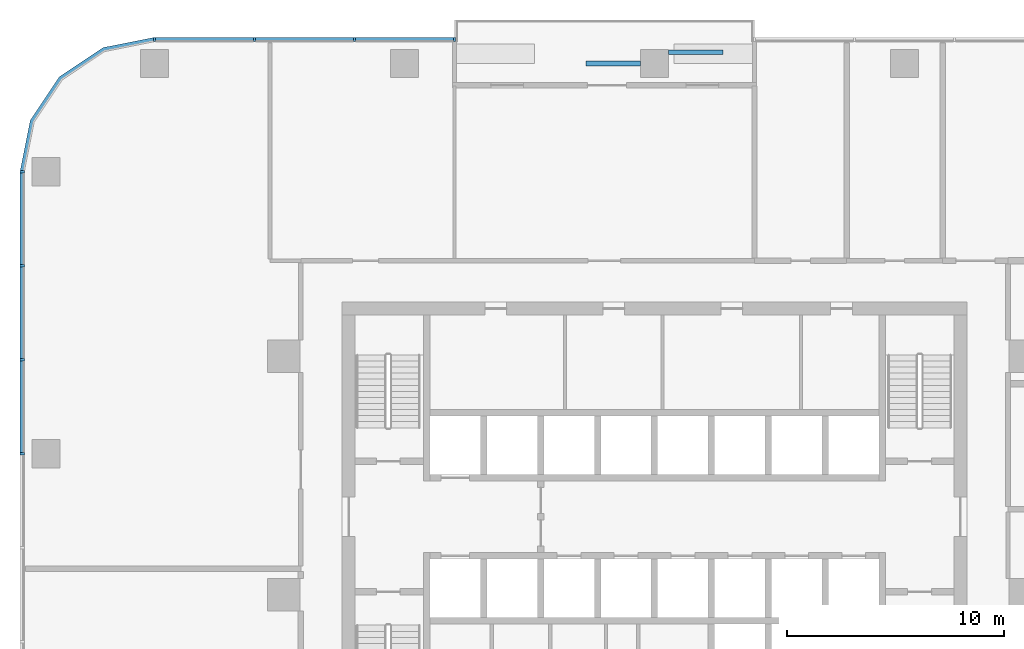
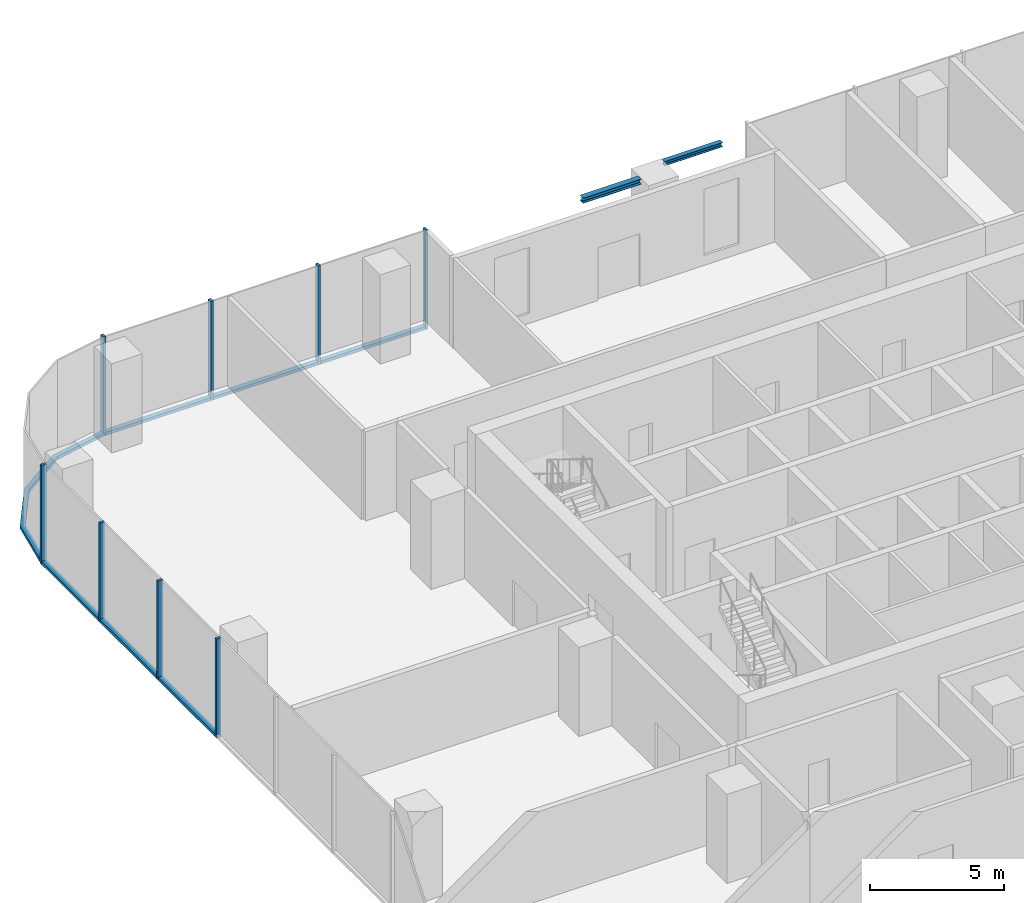
# One storey, part 4 of 14: 15 members, 2 beams, 3 elements without a shape of their own.
"""IFC4 building model written with IfcOpenShell, lengths in metres."""

from ifc_helpers import new_model, si_unit, direction, frame, origin, origin_2d, place, context, subcontext, project, spatial, polyline, rectangle, i_section, outline, extrude, material, material_profile, profile_set, type_object, element, aggregate, save


model = new_model("IFC4")

# Units and contexts
model_context = context("Model", 3, precision=1e-05, world=origin(), true_north=direction((0.0, 1.0)))
body_context = subcontext(model_context, "Body", "Model", "MODEL_VIEW")
ifc_project = project(units=[si_unit("LENGTHUNIT", "METRE"), si_unit("AREAUNIT", "SQUARE_METRE"), si_unit("VOLUMEUNIT", "CUBIC_METRE"), si_unit("PLANEANGLEUNIT", "RADIAN"), si_unit("MASSUNIT", "GRAM", prefix="KILO")], contexts=[model_context])

# Site, building, storey
site_placement = place(None, origin())
site = spatial("IfcSite", under=ifc_project, at=site_placement, CompositionType="ELEMENT")
building_placement = place(site_placement, origin())
building = spatial("IfcBuilding", under=site, at=building_placement, Name="Mopane Tessera Tower", CompositionType="ELEMENT")
storey_placement = place(building_placement, frame((0.0, 0.0, 126.10009765625)))
storey = spatial("IfcBuildingStorey", under=building, at=storey_placement, Name="L25", CompositionType="ELEMENT", Elevation=126.10009765625)

# Curtain wall, members
ifc_material_1 = material(Name="Aluminium frame", Category="aluminium")
curtain_wall_type = type_object("IfcCurtainWallType", Name="Lower tower unitised wall", PredefinedType="NOTDEFINED", material=ifc_material_1)
curtain_wall_1_placement = place(storey_placement, origin())
curtain_wall_1 = element("IfcCurtainWall", 1, at=curtain_wall_1_placement, inside=storey, type_object=curtain_wall_type, Name="e:cw:L25:N:7", PredefinedType="NOTDEFINED")
ifc_material_2 = material(Name="Aluminium frame", Category="aluminium")
ifc_material_profile_1 = material_profile(ifc_material_2, rectangle(XDim=0.110107421875, YDim=0.199951171875, at=origin_2d()))
ifc_profile_set_1 = profile_set([ifc_material_profile_1], Name="Aluminium frame")
member_type_1 = type_object("IfcMemberType", Name="Aluminium mullion 110 x 200", PredefinedType="MULLION", material=ifc_profile_set_1)
member_1_placement = place(storey_placement, frame((-9.219970703125, 25.60009765625, -0.4501953125), z_axis=(0.0, 0.0, 1.0), x_axis=(-1.0, 0.0, 0.0)))
member_1 = element("IfcMember", 2, at=member_1_placement, type_object=member_type_1, Name="e:cw:L25:N:7:mu7", PredefinedType="MULLION", context=body_context, shape_type="SweptSolid", body=[
    extrude(rectangle(XDim=0.110107421875, YDim=0.199951171875, at=origin_2d()), origin(), (0.0, 0.0, 1.0), 4.5),
])
member_2_placement = place(storey_placement, frame((-13.830078125, 25.60009765625, -0.4501953125), z_axis=(0.0, 0.0, 1.0), x_axis=(-1.0, 0.0, 0.0)))
member_2 = element("IfcMember", 3, at=member_2_placement, type_object=member_type_1, Name="e:cw:L25:N:7:mu8", PredefinedType="MULLION", context=body_context, shape_type="SweptSolid", body=[
    extrude(rectangle(XDim=0.110107421875, YDim=0.199951171875, at=origin_2d()), origin(), (0.0, 0.0, 1.0), 4.5),
])
member_3_placement = place(storey_placement, frame((-18.43994140625, 25.60009765625, -0.4501953125), z_axis=(0.0, 0.0, 1.0), x_axis=(-1.0, 0.0, 0.0)))
member_3 = element("IfcMember", 4, at=member_3_placement, type_object=member_type_1, Name="e:cw:L25:N:7:mu9", PredefinedType="MULLION", context=body_context, shape_type="SweptSolid", body=[
    extrude(rectangle(XDim=0.110107421875, YDim=0.199951171875, at=origin_2d()), origin(), (0.0, 0.0, 1.0), 4.5),
])
member_4_placement = place(storey_placement, frame((-23.050048828125, 25.60009765625, -0.4501953125), z_axis=(0.0, 0.0, 1.0), x_axis=(-1.0, 0.0, 0.0)))
member_4 = element("IfcMember", 5, at=member_4_placement, type_object=member_type_1, Name="e:cw:L25:N:7:mu10", PredefinedType="MULLION", context=body_context, shape_type="SweptSolid", body=[
    extrude(rectangle(XDim=0.110107421875, YDim=0.199951171875, at=origin_2d()), origin(), (0.0, 0.0, 1.0), 4.5),
])

curtain_wall_2_placement = place(storey_placement, origin())
curtain_wall_2 = element("IfcCurtainWall", 6, at=curtain_wall_2_placement, inside=storey, type_object=curtain_wall_type, Name="e:cw:L25:W:0", PredefinedType="NOTDEFINED")
member_5_placement = place(storey_placement, frame((-29.14990234375, 19.5, -0.4501953125), z_axis=(0.0, 0.0, 1.0), x_axis=(0.0, -1.0, 0.0)))
member_5 = element("IfcMember", 7, at=member_5_placement, type_object=member_type_1, Name="e:cw:L25:W:0:mu0", PredefinedType="MULLION", context=body_context, shape_type="SweptSolid", body=[
    extrude(rectangle(XDim=0.110107421875, YDim=0.199951171875, at=origin_2d()), origin(), (0.0, 0.0, 1.0), 4.5),
])
member_6_placement = place(storey_placement, frame((-29.14990234375, 15.166748046875, -0.4501953125), z_axis=(0.0, 0.0, 1.0), x_axis=(0.0, -1.0, 0.0)))
member_6 = element("IfcMember", 8, at=member_6_placement, type_object=member_type_1, Name="e:cw:L25:W:0:mu1", PredefinedType="MULLION", context=body_context, shape_type="SweptSolid", body=[
    extrude(rectangle(XDim=0.110107421875, YDim=0.199951171875, at=origin_2d()), origin(), (0.0, 0.0, 1.0), 4.5),
])
member_7_placement = place(storey_placement, frame((-29.14990234375, 10.833251953125, -0.4501953125), z_axis=(0.0, 0.0, 1.0), x_axis=(0.0, -1.0, 0.0)))
member_7 = element("IfcMember", 9, at=member_7_placement, type_object=member_type_1, Name="e:cw:L25:W:0:mu2", PredefinedType="MULLION", context=body_context, shape_type="SweptSolid", body=[
    extrude(rectangle(XDim=0.110107421875, YDim=0.199951171875, at=origin_2d()), origin(), (0.0, 0.0, 1.0), 4.5),
])
member_8_placement = place(storey_placement, frame((-29.14990234375, 6.5, -0.4501953125), z_axis=(0.0, 0.0, 1.0), x_axis=(0.0, -1.0, 0.0)))
member_8 = element("IfcMember", 10, at=member_8_placement, type_object=member_type_1, Name="e:cw:L25:W:0:mu3", PredefinedType="MULLION", context=body_context, shape_type="SweptSolid", body=[
    extrude(rectangle(XDim=0.110107421875, YDim=0.199951171875, at=origin_2d()), origin(), (0.0, 0.0, 1.0), 4.5),
])

# Member
ifc_material_3 = material(Name="Aluminium frame", Category="aluminium")
ifc_material_profile_2 = material_profile(ifc_material_3, rectangle(XDim=0.199951171875, YDim=0.139892578125, at=origin_2d()))
ifc_profile_set_2 = profile_set([ifc_material_profile_2], Name="Aluminium frame")
member_type_2 = type_object("IfcMemberType", Name="Aluminium transom 200 x 140", PredefinedType="USERDEFINED", material=ifc_profile_set_2)
member_9_placement = place(storey_placement, frame((-9.27490234375, 25.60009765625, -0.380126953125), z_axis=(-1.0, 0.0, 0.0), x_axis=(0.0, -1.0, 0.0)))
member_9 = element("IfcMember", 11, at=member_9_placement, type_object=member_type_2, Name="e:cw:L25:N:7:tr7", ObjectType="TRANSOM", PredefinedType="USERDEFINED", context=body_context, shape_type="SweptSolid", body=[
    extrude(rectangle(XDim=0.199951171875, YDim=0.139892578125, at=origin_2d()), origin(), (0.0, 0.0, 1.0), 4.5),
])

member_10_placement = place(storey_placement, frame((-13.885009765625, 25.60009765625, -0.380126953125), z_axis=(-1.0, 0.0, 0.0), x_axis=(0.0, -1.0, 0.0)))
member_10 = element("IfcMember", 12, at=member_10_placement, type_object=member_type_2, Name="e:cw:L25:N:7:tr8", ObjectType="TRANSOM", PredefinedType="USERDEFINED", context=body_context, shape_type="SweptSolid", body=[
    extrude(rectangle(XDim=0.199951171875, YDim=0.139892578125, at=origin_2d()), origin(), (0.0, 0.0, 1.0), 4.5),
])

member_11_placement = place(storey_placement, frame((-18.4951171875, 25.60009765625, -0.380126953125), z_axis=(-1.0, 0.0, 0.0), x_axis=(0.0, -1.0, 0.0)))
member_11 = element("IfcMember", 13, at=member_11_placement, type_object=member_type_2, Name="e:cw:L25:N:7:tr9", ObjectType="TRANSOM", PredefinedType="USERDEFINED", context=body_context, shape_type="SweptSolid", body=[
    extrude(rectangle(XDim=0.199951171875, YDim=0.139892578125, at=origin_2d()), origin(), (0.0, 0.0, 1.0), 4.5),
])

aggregate(curtain_wall_1, [member_1, member_2, member_3, member_4, member_9, member_10, member_11])

# Curtain wall, member
curtain_wall_3_placement = place(storey_placement, origin())
curtain_wall_3 = element("IfcCurtainWall", 14, at=curtain_wall_3_placement, inside=storey, type_object=curtain_wall_type, Name="e:cw:L25:CN", PredefinedType="NOTDEFINED")
member_12_placement = place(storey_placement, frame((0.0, 0.0, -0.4501953125)))
member_12 = element("IfcMember", 15, at=member_12_placement, type_object=member_type_2, Name="e:cw:L25:CN:tr", ObjectType="TRANSOM", PredefinedType="USERDEFINED", context=body_context, shape_type="SweptSolid", body=[
    extrude(outline(polyline([(-23.050048828125, 25.5), (-25.34619140625, 25.043212890625), (-27.292724609375, 23.74267578125), (-28.59326171875, 21.796142578125), (-29.050048828125, 19.5), (-29.25, 19.5), (-28.778076171875, 21.87255859375), (-27.43408203125, 23.884033203125), (-25.422607421875, 25.22802734375), (-23.050048828125, 25.699951171875), (-23.050048828125, 25.5)])), origin(), (0.0, 0.0, 1.0), 0.14013671875),
])
aggregate(curtain_wall_3, [member_12])

# Member
member_13_placement = place(storey_placement, frame((-29.14990234375, 19.445068359375, -0.380126953125), z_axis=(0.0, -1.0, 0.0), x_axis=(1.0, 0.0, 0.0)))
member_13 = element("IfcMember", 16, at=member_13_placement, type_object=member_type_2, Name="e:cw:L25:W:0:tr0", ObjectType="TRANSOM", PredefinedType="USERDEFINED", context=body_context, shape_type="SweptSolid", body=[
    extrude(rectangle(XDim=0.199951171875, YDim=0.139892578125, at=origin_2d()), origin(), (0.0, 0.0, 1.0), 4.223388671875),
])

member_14_placement = place(storey_placement, frame((-29.14990234375, 15.111572265625, -0.380126953125), z_axis=(0.0, -1.0, 0.0), x_axis=(1.0, 0.0, 0.0)))
member_14 = element("IfcMember", 17, at=member_14_placement, type_object=member_type_2, Name="e:cw:L25:W:0:tr1", ObjectType="TRANSOM", PredefinedType="USERDEFINED", context=body_context, shape_type="SweptSolid", body=[
    extrude(rectangle(XDim=0.199951171875, YDim=0.139892578125, at=origin_2d()), origin(), (0.0, 0.0, 1.0), 4.22314453125),
])

member_15_placement = place(storey_placement, frame((-29.14990234375, 10.7783203125, -0.380126953125), z_axis=(0.0, -1.0, 0.0), x_axis=(1.0, 0.0, 0.0)))
member_15 = element("IfcMember", 18, at=member_15_placement, type_object=member_type_2, Name="e:cw:L25:W:0:tr2", ObjectType="TRANSOM", PredefinedType="USERDEFINED", context=body_context, shape_type="SweptSolid", body=[
    extrude(rectangle(XDim=0.199951171875, YDim=0.139892578125, at=origin_2d()), origin(), (0.0, 0.0, 1.0), 4.223388671875),
])

aggregate(curtain_wall_2, [member_5, member_6, member_7, member_8, member_13, member_14, member_15])

# Beams
ifc_material_4 = material(Name="Structural steel S460", Category="steel")
ifc_material_profile_3 = material_profile(ifc_material_4, i_section(OverallWidth=0.239990234375, OverallDepth=0.239990234375, WebThickness=0.010009765625, FlangeThickness=0.01708984375, FilletRadius=0.02099609375, at=origin_2d()))
ifc_profile_set_3 = profile_set([ifc_material_profile_3], Name="Structural steel S460")
beam_type_1 = type_object("IfcBeamType", Name="Terrace spandrel beam HE 240 B", PredefinedType="SPANDREL", material=ifc_profile_set_3)
beam_1_placement = place(storey_placement, frame((-0.653076171875, 24.5, 3.929931640625), z_axis=(-1.0, 0.0, 0.0), x_axis=(0.0, -1.0, 0.0)))
element("IfcBeam", 19, at=beam_1_placement, inside=storey, type_object=beam_type_1, Name="Terrace spandrel beam N1 L26", PredefinedType="SPANDREL", context=body_context, shape_type="SweptSolid", body=[
    extrude(i_section(OverallWidth=0.239990234375, OverallDepth=0.239990234375, WebThickness=0.010009765625, FlangeThickness=0.01708984375, FilletRadius=0.02099609375, at=origin_2d()), origin(), (0.0, 0.0, 1.0), 2.5),
])
ifc_material_5 = material(Name="Structural steel S460", Category="steel")
ifc_material_profile_4 = material_profile(ifc_material_5, i_section(OverallWidth=0.199951171875, OverallDepth=0.199951171875, WebThickness=0.009033203125, FlangeThickness=0.014892578125, FilletRadius=0.01806640625, at=origin_2d()))
ifc_profile_set_4 = profile_set([ifc_material_profile_4], Name="Structural steel S460")
beam_type_2 = type_object("IfcBeamType", Name="Terrace trimmer beam HE 200 B", PredefinedType="BEAM", material=ifc_profile_set_4)
beam_2_placement = place(storey_placement, frame((0.653076171875, 25.02001953125, 3.949951171875), z_axis=(1.0, 0.0, 0.0), x_axis=(0.0, 1.0, 0.0)))
element("IfcBeam", 20, at=beam_2_placement, inside=storey, type_object=beam_type_2, Name="Terrace trimmer beam N1 L26", PredefinedType="BEAM", context=body_context, shape_type="SweptSolid", body=[
    extrude(i_section(OverallWidth=0.199951171875, OverallDepth=0.199951171875, WebThickness=0.009033203125, FlangeThickness=0.014892578125, FilletRadius=0.01806640625, at=origin_2d()), origin(), (0.0, 0.0, 1.0), 2.5),
])

save(model, "model.ifc")
